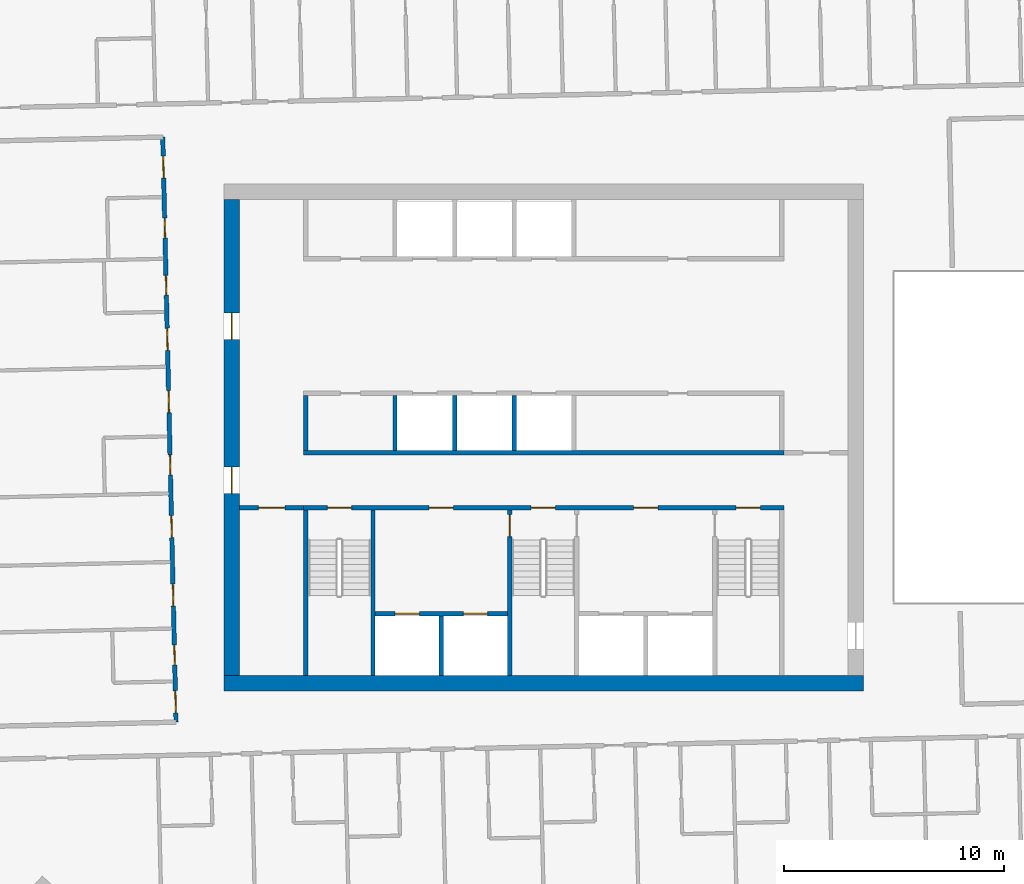
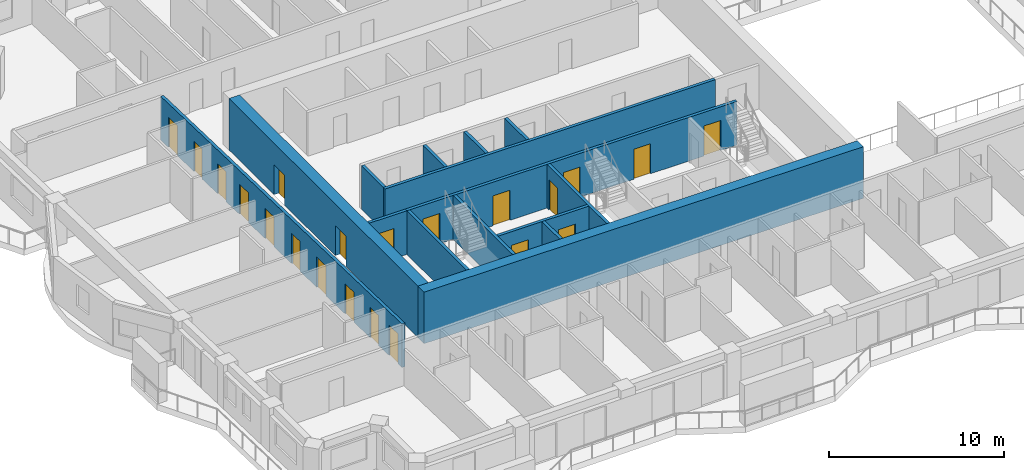
# One storey, part 9 of 19: 21 doors, 15 walls, 21 openings.
"""IFC4 building model written with IfcOpenShell, lengths in metres."""

from ifc_helpers import new_model, si_unit, direction, frame, frame_2d, origin, place, context, subcontext, project, spatial, rectangle, extrude, material, layer, layer_set, type_object, element, fill, save


model = new_model("IFC4")

# Units and contexts
model_context = context("Model", 3, precision=1e-05, world=origin(), true_north=direction((0.0, 1.0)))
body_context = subcontext(model_context, "Body", "Model", "MODEL_VIEW")
ifc_project = project(units=[si_unit("LENGTHUNIT", "METRE"), si_unit("AREAUNIT", "SQUARE_METRE"), si_unit("VOLUMEUNIT", "CUBIC_METRE"), si_unit("PLANEANGLEUNIT", "RADIAN"), si_unit("MASSUNIT", "GRAM", prefix="KILO")], contexts=[model_context])

# Site, building, storey
site_placement = place(None, origin())
site = spatial("IfcSite", under=ifc_project, at=site_placement, CompositionType="ELEMENT")
building_placement = place(site_placement, origin())
building = spatial("IfcBuilding", under=site, at=building_placement, Name="Mangrove Gate Tower", CompositionType="ELEMENT")
storey_placement = place(building_placement, frame((0.0, 0.0, 283.5)))
storey = spatial("IfcBuildingStorey", under=building, at=storey_placement, Name="L72", CompositionType="ELEMENT", Elevation=283.5)

# Wall, opening, door
ifc_material_1 = material(Name="Concrete C32/40", Category="concrete")
ifc_layer_1 = layer(ifc_material_1, 0.199951171875)
ifc_layer_set_1 = layer_set([ifc_layer_1], Name="Core lobby wall 200 C32/40")
wall_type_1 = type_object("IfcWallType", Name="Core lobby wall 200 C32/40", PredefinedType="STANDARD", material=ifc_layer_set_1)
wall_1_placement = place(storey_placement, frame((-13.800048828125, -3.199951171875, 0.0), z_axis=(0.0, 0.0, 1.0), x_axis=(1.0, 0.0, 0.0)))
wall_1 = element("IfcWall", 1, at=wall_1_placement, inside=storey, type_object=wall_type_1, Name="WALL-L72-CORE-31", PredefinedType="STANDARD", context=body_context, shape_type="SweptSolid", body=[
    extrude(rectangle(XDim=2.900146484375, YDim=0.199951171875, at=frame_2d((1.4501953125, 0.0))), origin(), (0.0, 0.0, 1.0), 3.050048828125),
])
opening_1_placement = place(wall_1_placement, frame((0.85009765625, 0.0, 0.0)))
opening_1 = element("IfcOpeningElement", 2, at=opening_1_placement, cuts=wall_1, Name="Opening FL12", PredefinedType="OPENING", context=body_context, shape_type="SweptSolid", body=[
    extrude(rectangle(XDim=1.199951171875, YDim=2.10009765625, at=frame_2d((0.60009765625, 1.050048828125))), frame((0.0, 0.10986328125, 0.0), z_axis=(0.0, -1.0, 0.0), x_axis=(1.0, 0.0, 0.0)), (0.0, 0.0, 1.0), 0.219970703125),
])
ifc_material_2 = material(Name="Fire-rated steel door set", Category="steel")
door_type_1 = type_object("IfcDoorType", Name="Lobby door FD60 1200x2100", OperationType="SINGLE_SWING_LEFT", PredefinedType="DOOR", material=ifc_material_2)
door_1_placement = place(opening_1_placement, origin())
door_1 = element("IfcDoor", 3, at=door_1_placement, inside=storey, type_object=door_type_1, Name="Lobby door core corridor W partition", OperationType="SINGLE_SWING_LEFT", OverallHeight=2.10009765625, OverallWidth=1.199951171875, PredefinedType="DOOR", context=body_context, shape_type="SweptSolid", body=[
    extrude(rectangle(XDim=1.199951171875, YDim=2.10009765625, at=frame_2d((0.60009765625, 1.050048828125))), frame((0.0, 0.02490234375, 0.0), z_axis=(0.0, -1.0, 0.0), x_axis=(1.0, 0.0, 0.0)), (0.0, 0.0, 1.0), 0.050048828125),
])
fill(opening_1, door_1)

# Walls
ifc_material_3 = material(Name="Concrete C32/40", Category="concrete")
ifc_layer_2 = layer(ifc_material_3, 0.199951171875)
ifc_layer_set_2 = layer_set([ifc_layer_2], Name="Core room wall 200 C32/40")
wall_type_2 = type_object("IfcWallType", Name="Core room wall 200 C32/40", PredefinedType="STANDARD", material=ifc_layer_set_2)
wall_2_placement = place(storey_placement, frame((-10.800048828125, -0.60009765625, 0.0), z_axis=(0.0, 0.0, 1.0), x_axis=(0.0, 1.0, 0.0)))
element("IfcWall", 4, at=wall_2_placement, inside=storey, type_object=wall_type_2, Name="WALL-L72-CORE-19", PredefinedType="STANDARD", context=body_context, shape_type="SweptSolid", body=[
    extrude(rectangle(XDim=2.5, YDim=0.199951171875, at=frame_2d((1.25, 0.0))), origin(), (0.0, 0.0, 1.0), 3.050048828125),
])
ifc_material_4 = material(Name="Concrete C50/60", Category="concrete")
ifc_layer_3 = layer(ifc_material_4, 0.199951171875)
ifc_layer_set_3 = layer_set([ifc_layer_3], Name="Core shaft wall 200 C50/60")
wall_type_3 = type_object("IfcWallType", Name="Core shaft wall 200 C50/60", PredefinedType="SHEAR", material=ifc_layer_set_3)
wall_3_placement = place(storey_placement, frame((-10.89990234375, -0.699951171875, 0.0), z_axis=(0.0, 0.0, 1.0), x_axis=(1.0, 0.0, 0.0)))
element("IfcWall", 5, at=wall_3_placement, inside=storey, type_object=wall_type_3, Name="WALL-L72-CORE-6", PredefinedType="SHEAR", context=body_context, shape_type="SweptSolid", body=[
    extrude(rectangle(XDim=21.7998046875, YDim=0.199951171875, at=frame_2d((10.89990234375, 0.0))), origin(), (0.0, 0.0, 1.0), 3.050048828125),
])

# Wall, openings, doors
wall_4_placement = place(storey_placement, frame((-7.64990234375, -8.0, 0.0), z_axis=(0.0, 0.0, 1.0), x_axis=(1.0, 0.0, 0.0)))
wall_4 = element("IfcWall", 6, at=wall_4_placement, inside=storey, type_object=wall_type_3, Name="WALL-L72-CORE-15", PredefinedType="SHEAR", context=body_context, shape_type="SweptSolid", body=[
    extrude(rectangle(XDim=6.0, YDim=0.199951171875, at=frame_2d((3.0, 0.0))), origin(), (0.0, 0.0, 1.0), 3.050048828125),
])
opening_2_placement = place(wall_4_placement, frame((0.89990234375, 0.0, 0.0)))
opening_2 = element("IfcOpeningElement", 7, at=opening_2_placement, cuts=wall_4, Name="Opening LD", PredefinedType="OPENING", context=body_context, shape_type="SweptSolid", body=[
    extrude(rectangle(XDim=1.10009765625, YDim=2.10009765625, at=frame_2d((0.550048828125, 1.050048828125))), frame((0.0, 0.10986328125, 0.0), z_axis=(0.0, -1.0, 0.0), x_axis=(1.0, 0.0, 0.0)), (0.0, 0.0, 1.0), 0.219970703125),
])
opening_3_placement = place(wall_4_placement, frame((4.0, 0.0, 0.0)))
opening_3 = element("IfcOpeningElement", 8, at=opening_3_placement, cuts=wall_4, Name="Opening LD", PredefinedType="OPENING", context=body_context, shape_type="SweptSolid", body=[
    extrude(rectangle(XDim=1.10009765625, YDim=2.10009765625, at=frame_2d((0.550048828125, 1.050048828125))), frame((0.0, 0.10986328125, 0.0), z_axis=(0.0, -1.0, 0.0), x_axis=(1.0, 0.0, 0.0)), (0.0, 0.0, 1.0), 0.219970703125),
])
ifc_material_5 = material(Name="Stainless steel 316", Category="steel")
door_type_2 = type_object("IfcDoorType", Name="Lift landing door 1100x2100", OperationType="SLIDING_TO_LEFT", PredefinedType="DOOR", material=ifc_material_5)
door_2_placement = place(opening_2_placement, origin())
door_2 = element("IfcDoor", 9, at=door_2_placement, inside=storey, type_object=door_type_2, Name="Landing door LD SVL1", OperationType="SLIDING_TO_LEFT", OverallHeight=2.10009765625, OverallWidth=1.10009765625, PredefinedType="DOOR", context=body_context, shape_type="SweptSolid", body=[
    extrude(rectangle(XDim=1.10009765625, YDim=2.10009765625, at=frame_2d((0.550048828125, 1.050048828125))), frame((0.0, 0.02490234375, 0.0), z_axis=(0.0, -1.0, 0.0), x_axis=(1.0, 0.0, 0.0)), (0.0, 0.0, 1.0), 0.050048828125),
])
fill(opening_2, door_2)
door_3_placement = place(opening_3_placement, origin())
door_3 = element("IfcDoor", 10, at=door_3_placement, inside=storey, type_object=door_type_2, Name="Landing door LD SVL2", OperationType="SLIDING_TO_LEFT", OverallHeight=2.10009765625, OverallWidth=1.10009765625, PredefinedType="DOOR", context=body_context, shape_type="SweptSolid", body=[
    extrude(rectangle(XDim=1.10009765625, YDim=2.10009765625, at=frame_2d((0.550048828125, 1.050048828125))), frame((0.0, 0.02490234375, 0.0), z_axis=(0.0, -1.0, 0.0), x_axis=(1.0, 0.0, 0.0)), (0.0, 0.0, 1.0), 0.050048828125),
])
fill(opening_3, door_3)

# Walls
wall_5_placement = place(storey_placement, frame((-4.64990234375, -10.800048828125, 0.0), z_axis=(0.0, 0.0, 1.0), x_axis=(0.0, 1.0, 0.0)))
element("IfcWall", 11, at=wall_5_placement, inside=storey, type_object=wall_type_3, Name="WALL-L72-CORE-16", PredefinedType="SHEAR", context=body_context, shape_type="SweptSolid", body=[
    extrude(rectangle(XDim=2.699951171875, YDim=0.199951171875, at=frame_2d((1.35009765625, 0.0))), origin(), (0.0, 0.0, 1.0), 3.050048828125),
])
for number, where, z_axis, x_axis, name in (
    (12, (-6.75, -0.60009765625, 0.0), (0.0, 0.0, 1.0), (0.0, 1.0, 0.0), "WALL-L72-CORE-20"),
    (13, (-4.050048828125, -0.60009765625, 0.0), (0.0, 0.0, 1.0), (0.0, 1.0, 0.0), "WALL-L72-CORE-21"),
    (14, (-1.35009765625, -0.60009765625, 0.0), (0.0, 0.0, 1.0), (0.0, 1.0, 0.0), "WALL-L72-CORE-22"),
):
    element("IfcWall", number, at=place(storey_placement, frame(where, z_axis=z_axis, x_axis=x_axis)), inside=storey, type_object=wall_type_3, Name=name, PredefinedType="SHEAR", context=body_context, shape_type="SweptSolid", body=[
        extrude(rectangle(XDim=2.5, YDim=0.199951171875, at=frame_2d((1.25, 0.0))), origin(), (0.0, 0.0, 1.0), 3.050048828125),
    ])

# Wall, openings, doors
ifc_material_6 = material(Name="Concrete C50/60", Category="concrete")
ifc_layer_4 = layer(ifc_material_6, 0.199951171875)
ifc_layer_set_4 = layer_set([ifc_layer_4], Name="Core stair wall 200 C50/60")
wall_type_4 = type_object("IfcWallType", Name="Core stair wall 200 C50/60", PredefinedType="SHEAR", material=ifc_layer_set_4)
wall_6_placement = place(storey_placement, frame((-10.89990234375, -3.199951171875, 0.0), z_axis=(0.0, 0.0, 1.0), x_axis=(1.0, 0.0, 0.0)))
wall_6 = element("IfcWall", 15, at=wall_6_placement, inside=storey, type_object=wall_type_4, Name="WALL-L72-CORE-5", PredefinedType="SHEAR", context=body_context, shape_type="SweptSolid", body=[
    extrude(rectangle(XDim=21.7998046875, YDim=0.199951171875, at=frame_2d((10.89990234375, 0.0))), origin(), (0.0, 0.0, 1.0), 3.050048828125),
])
opening_4_placement = place(wall_6_placement, frame((1.074951171875, 0.0, 0.0)))
opening_4 = element("IfcOpeningElement", 16, at=opening_4_placement, cuts=wall_6, Name="Opening STD11", PredefinedType="OPENING", context=body_context, shape_type="SweptSolid", body=[
    extrude(rectangle(XDim=1.10009765625, YDim=2.10009765625, at=frame_2d((0.550048828125, 1.050048828125))), frame((0.0, 0.10986328125, 0.0), z_axis=(0.0, -1.0, 0.0), x_axis=(1.0, 0.0, 0.0)), (0.0, 0.0, 1.0), 0.219970703125),
])
opening_5_placement = place(wall_6_placement, frame((10.324951171875, 0.0, 0.0)))
opening_5 = element("IfcOpeningElement", 17, at=opening_5_placement, cuts=wall_6, Name="Opening STD11", PredefinedType="OPENING", context=body_context, shape_type="SweptSolid", body=[
    extrude(rectangle(XDim=1.10009765625, YDim=2.10009765625, at=frame_2d((0.550048828125, 1.050048828125))), frame((0.0, 0.10986328125, 0.0), z_axis=(0.0, -1.0, 0.0), x_axis=(1.0, 0.0, 0.0)), (0.0, 0.0, 1.0), 0.219970703125),
])
opening_6_placement = place(wall_6_placement, frame((19.625, 0.0, 0.0)))
opening_6 = element("IfcOpeningElement", 18, at=opening_6_placement, cuts=wall_6, Name="Opening STD11", PredefinedType="OPENING", context=body_context, shape_type="SweptSolid", body=[
    extrude(rectangle(XDim=1.10009765625, YDim=2.10009765625, at=frame_2d((0.550048828125, 1.050048828125))), frame((0.0, 0.10986328125, 0.0), z_axis=(0.0, -1.0, 0.0), x_axis=(1.0, 0.0, 0.0)), (0.0, 0.0, 1.0), 0.219970703125),
])
opening_7_placement = place(wall_6_placement, frame((5.699951171875, 0.0, 0.0)))
opening_7 = element("IfcOpeningElement", 19, at=opening_7_placement, cuts=wall_6, Name="Opening FL", PredefinedType="OPENING", context=body_context, shape_type="SweptSolid", body=[
    extrude(rectangle(XDim=1.10009765625, YDim=2.10009765625, at=frame_2d((0.550048828125, 1.050048828125))), frame((0.0, 0.10986328125, 0.0), z_axis=(0.0, -1.0, 0.0), x_axis=(1.0, 0.0, 0.0)), (0.0, 0.0, 1.0), 0.219970703125),
])
opening_8_placement = place(wall_6_placement, frame((14.97509765625, 0.0, 0.0)))
opening_8 = element("IfcOpeningElement", 20, at=opening_8_placement, cuts=wall_6, Name="Opening FL", PredefinedType="OPENING", context=body_context, shape_type="SweptSolid", body=[
    extrude(rectangle(XDim=1.10009765625, YDim=2.10009765625, at=frame_2d((0.550048828125, 1.050048828125))), frame((0.0, 0.10986328125, 0.0), z_axis=(0.0, -1.0, 0.0), x_axis=(1.0, 0.0, 0.0)), (0.0, 0.0, 1.0), 0.219970703125),
])
ifc_material_7 = material(Name="Fire-rated steel door set", Category="steel")
door_type_3 = type_object("IfcDoorType", Name="Lobby door FD60 1100x2100", OperationType="SINGLE_SWING_LEFT", PredefinedType="DOOR", material=ifc_material_7)
door_4_placement = place(opening_7_placement, origin())
door_4 = element("IfcDoor", 21, at=door_4_placement, inside=storey, type_object=door_type_3, Name="Lobby door service lobby", OperationType="SINGLE_SWING_LEFT", OverallHeight=2.10009765625, OverallWidth=1.10009765625, PredefinedType="DOOR", context=body_context, shape_type="SweptSolid", body=[
    extrude(rectangle(XDim=1.10009765625, YDim=2.10009765625, at=frame_2d((0.550048828125, 1.050048828125))), frame((0.0, 0.02490234375, 0.0), z_axis=(0.0, -1.0, 0.0), x_axis=(1.0, 0.0, 0.0)), (0.0, 0.0, 1.0), 0.050048828125),
])
fill(opening_7, door_4)
door_5_placement = place(opening_8_placement, origin())
door_5 = element("IfcDoor", 22, at=door_5_placement, inside=storey, type_object=door_type_3, Name="Lobby door fire-fighting lobby", OperationType="SINGLE_SWING_LEFT", OverallHeight=2.10009765625, OverallWidth=1.10009765625, PredefinedType="DOOR", context=body_context, shape_type="SweptSolid", body=[
    extrude(rectangle(XDim=1.10009765625, YDim=2.10009765625, at=frame_2d((0.550048828125, 1.050048828125))), frame((0.0, 0.02490234375, 0.0), z_axis=(0.0, -1.0, 0.0), x_axis=(1.0, 0.0, 0.0)), (0.0, 0.0, 1.0), 0.050048828125),
])
fill(opening_8, door_5)
ifc_material_8 = material(Name="Fire-rated steel door set", Category="steel")
door_type_4 = type_object("IfcDoorType", Name="Stair door FD60 1100x2100", OperationType="SINGLE_SWING_RIGHT", PredefinedType="DOOR", material=ifc_material_8)
door_6_placement = place(opening_4_placement, origin())
door_6 = element("IfcDoor", 23, at=door_6_placement, inside=storey, type_object=door_type_4, Name="Stair door Stair 1", OperationType="SINGLE_SWING_RIGHT", OverallHeight=2.10009765625, OverallWidth=1.10009765625, PredefinedType="DOOR", context=body_context, shape_type="SweptSolid", body=[
    extrude(rectangle(XDim=1.10009765625, YDim=2.10009765625, at=frame_2d((0.550048828125, 1.050048828125))), frame((0.0, 0.02490234375, 0.0), z_axis=(0.0, -1.0, 0.0), x_axis=(1.0, 0.0, 0.0)), (0.0, 0.0, 1.0), 0.050048828125),
])
fill(opening_4, door_6)
door_7_placement = place(opening_5_placement, origin())
door_7 = element("IfcDoor", 24, at=door_7_placement, inside=storey, type_object=door_type_4, Name="Stair door Stair 2", OperationType="SINGLE_SWING_RIGHT", OverallHeight=2.10009765625, OverallWidth=1.10009765625, PredefinedType="DOOR", context=body_context, shape_type="SweptSolid", body=[
    extrude(rectangle(XDim=1.10009765625, YDim=2.10009765625, at=frame_2d((0.550048828125, 1.050048828125))), frame((0.0, 0.02490234375, 0.0), z_axis=(0.0, -1.0, 0.0), x_axis=(1.0, 0.0, 0.0)), (0.0, 0.0, 1.0), 0.050048828125),
])
fill(opening_5, door_7)
door_8_placement = place(opening_6_placement, origin())
door_8 = element("IfcDoor", 25, at=door_8_placement, inside=storey, type_object=door_type_4, Name="Stair door Stair 3", OperationType="SINGLE_SWING_RIGHT", OverallHeight=2.10009765625, OverallWidth=1.10009765625, PredefinedType="DOOR", context=body_context, shape_type="SweptSolid", body=[
    extrude(rectangle(XDim=1.10009765625, YDim=2.10009765625, at=frame_2d((0.550048828125, 1.050048828125))), frame((0.0, 0.02490234375, 0.0), z_axis=(0.0, -1.0, 0.0), x_axis=(1.0, 0.0, 0.0)), (0.0, 0.0, 1.0), 0.050048828125),
])
fill(opening_6, door_8)

# Walls
for number, where, z_axis, x_axis, name in (
    (26, (-10.800048828125, -10.800048828125, 0.0), (0.0, 0.0, 1.0), (0.0, 1.0, 0.0), "WALL-L72-CORE-9"),
    (27, (-7.75, -10.800048828125, 0.0), (0.0, 0.0, 1.0), (0.0, 1.0, 0.0), "WALL-L72-CORE-10"),
):
    element("IfcWall", number, at=place(storey_placement, frame(where, z_axis=z_axis, x_axis=x_axis)), inside=storey, type_object=wall_type_4, Name=name, PredefinedType="SHEAR", context=body_context, shape_type="SweptSolid", body=[
        extrude(rectangle(XDim=7.5, YDim=0.199951171875, at=frame_2d((3.75, 0.0))), origin(), (0.0, 0.0, 1.0), 3.050048828125),
    ])

# Wall, opening, door
wall_7_placement = place(storey_placement, frame((-1.550048828125, -10.800048828125, 0.0), z_axis=(0.0, 0.0, 1.0), x_axis=(0.0, 1.0, 0.0)))
wall_7 = element("IfcWall", 28, at=wall_7_placement, inside=storey, type_object=wall_type_4, Name="WALL-L72-CORE-11", PredefinedType="SHEAR", context=body_context, shape_type="SweptSolid", body=[
    extrude(rectangle(XDim=7.5, YDim=0.199951171875, at=frame_2d((3.75, 0.0))), origin(), (0.0, 0.0, 1.0), 3.050048828125),
])
opening_9_placement = place(wall_7_placement, frame((6.300048828125, 0.0, 0.0)))
opening_9 = element("IfcOpeningElement", 29, at=opening_9_placement, cuts=wall_7, Name="Opening STD10", PredefinedType="OPENING", context=body_context, shape_type="SweptSolid", body=[
    extrude(rectangle(XDim=1.0, YDim=2.10009765625, at=frame_2d((0.5, 1.050048828125))), frame((0.0, 0.10986328125, 0.0), z_axis=(0.0, -1.0, 0.0), x_axis=(1.0, 0.0, 0.0)), (0.0, 0.0, 1.0), 0.219970703125),
])
ifc_material_9 = material(Name="Fire-rated steel door set", Category="steel")
door_type_5 = type_object("IfcDoorType", Name="Stair door FD60 1000x2100", OperationType="SINGLE_SWING_RIGHT", PredefinedType="DOOR", material=ifc_material_9)
door_9_placement = place(opening_9_placement, origin())
door_9 = element("IfcDoor", 30, at=door_9_placement, inside=storey, type_object=door_type_5, Name="Stair door Stair 2 from service lobby", OperationType="SINGLE_SWING_RIGHT", OverallHeight=2.10009765625, OverallWidth=1.0, PredefinedType="DOOR", context=body_context, shape_type="SweptSolid", body=[
    extrude(rectangle(XDim=1.0, YDim=2.10009765625, at=frame_2d((0.5, 1.050048828125))), frame((0.0, 0.02490234375, 0.0), z_axis=(0.0, -1.0, 0.0), x_axis=(1.0, 0.0, 0.0)), (0.0, 0.0, 1.0), 0.050048828125),
])
fill(opening_9, door_9)

# Wall
ifc_material_10 = material(Name="Concrete C50/60", Category="concrete")
ifc_layer_5 = layer(ifc_material_10, 0.699951171875)
ifc_layer_set_5 = layer_set([ifc_layer_5], Name="Core wall 700 C50/60")
wall_type_5 = type_object("IfcWallType", Name="Core wall 700 C50/60", PredefinedType="SHEAR", material=ifc_layer_set_5)
wall_8_placement = place(storey_placement, frame((-14.5, -11.14990234375, 0.0), z_axis=(0.0, 0.0, 1.0), x_axis=(1.0, 0.0, 0.0)))
element("IfcWall", 31, at=wall_8_placement, inside=storey, type_object=wall_type_5, Name="WALL-L72-CORE-1", PredefinedType="SHEAR", context=body_context, shape_type="SweptSolid", body=[
    extrude(rectangle(XDim=29.0, YDim=0.699951171875, at=frame_2d((14.5, 0.0))), origin(), (0.0, 0.0, 1.0), 3.60009765625),
])

# Wall, openings, doors
wall_9_placement = place(storey_placement, frame((-14.14990234375, -10.800048828125, 0.0), z_axis=(0.0, 0.0, 1.0), x_axis=(0.0, 1.0, 0.0)))
wall_9 = element("IfcWall", 32, at=wall_9_placement, inside=storey, type_object=wall_type_5, Name="WALL-L72-CORE-3", PredefinedType="SHEAR", context=body_context, shape_type="SweptSolid", body=[
    extrude(rectangle(XDim=21.60009765625, YDim=0.699951171875, at=frame_2d((10.800048828125, 0.0))), origin(), (0.0, 0.0, 1.0), 3.60009765625),
])
opening_10_placement = place(wall_9_placement, frame((8.25, 0.0, 0.0)))
opening_10 = element("IfcOpeningElement", 33, at=opening_10_placement, cuts=wall_9, Name="Opening CD", PredefinedType="OPENING", context=body_context, shape_type="SweptSolid", body=[
    extrude(rectangle(XDim=1.199951171875, YDim=2.10009765625, at=frame_2d((0.60009765625, 1.050048828125))), frame((0.0, 0.35986328125, 0.0), z_axis=(0.0, -1.0, 0.0), x_axis=(1.0, 0.0, 0.0)), (0.0, 0.0, 1.0), 0.719970703125),
])
opening_11_placement = place(wall_9_placement, frame((15.25, 0.0, 0.0)))
opening_11 = element("IfcOpeningElement", 34, at=opening_11_placement, cuts=wall_9, Name="Opening CD", PredefinedType="OPENING", context=body_context, shape_type="SweptSolid", body=[
    extrude(rectangle(XDim=1.199951171875, YDim=2.10009765625, at=frame_2d((0.60009765625, 1.050048828125))), frame((0.0, 0.35986328125, 0.0), z_axis=(0.0, -1.0, 0.0), x_axis=(1.0, 0.0, 0.0)), (0.0, 0.0, 1.0), 0.719970703125),
])
ifc_material_11 = material(Name="Fire-rated steel door set", Category="steel")
door_type_6 = type_object("IfcDoorType", Name="Core ring door FD60 1200x2100", OperationType="DOUBLE_DOOR_SINGLE_SWING", PredefinedType="DOOR", material=ifc_material_11)
door_10_placement = place(opening_10_placement, origin())
door_10 = element("IfcDoor", 35, at=door_10_placement, inside=storey, type_object=door_type_6, Name="Core ring door W1", OperationType="DOUBLE_DOOR_SINGLE_SWING", OverallHeight=2.10009765625, OverallWidth=1.199951171875, PredefinedType="DOOR", context=body_context, shape_type="SweptSolid", body=[
    extrude(rectangle(XDim=1.199951171875, YDim=2.10009765625, at=frame_2d((0.60009765625, 1.050048828125))), frame((0.0, 0.02490234375, 0.0), z_axis=(0.0, -1.0, 0.0), x_axis=(1.0, 0.0, 0.0)), (0.0, 0.0, 1.0), 0.050048828125),
])
fill(opening_10, door_10)
door_11_placement = place(opening_11_placement, origin())
door_11 = element("IfcDoor", 36, at=door_11_placement, inside=storey, type_object=door_type_6, Name="Core ring door W2", OperationType="DOUBLE_DOOR_SINGLE_SWING", OverallHeight=2.10009765625, OverallWidth=1.199951171875, PredefinedType="DOOR", context=body_context, shape_type="SweptSolid", body=[
    extrude(rectangle(XDim=1.199951171875, YDim=2.10009765625, at=frame_2d((0.60009765625, 1.050048828125))), frame((0.0, 0.02490234375, 0.0), z_axis=(0.0, -1.0, 0.0), x_axis=(1.0, 0.0, 0.0)), (0.0, 0.0, 1.0), 0.050048828125),
])
fill(opening_11, door_11)

ifc_material_12 = material(Name="Gypsum board on steel stud, EI 60", Category="steel")
ifc_layer_6 = layer(ifc_material_12, 0.199951171875)
ifc_layer_set_6 = layer_set([ifc_layer_6], Name="Corridor wall EI 60")
wall_type_6 = type_object("IfcWallType", Name="Corridor wall EI 60", PredefinedType="PARTITIONING", material=ifc_layer_set_6)
wall_10_placement = place(storey_placement, frame((-16.68408203125, -12.9189453125, 0.0), z_axis=(0.0, 0.0, 1.0), x_axis=(-0.022712214871, 0.999742044377, 0.0)))
wall_10 = element("IfcWall", 37, at=wall_10_placement, inside=storey, type_object=wall_type_6, Name="WALL-L72-033", PredefinedType="PARTITIONING", context=body_context, shape_type="SweptSolid", body=[
    extrude(rectangle(XDim=26.55078125, YDim=0.199951171875, at=frame_2d((13.275390625, 0.0))), origin(), (0.0, 0.0, 1.0), 3.050048828125),
])
opening_12_placement = place(wall_10_placement, frame((24.68798828125, 0.0, 0.0)))
opening_12 = element("IfcOpeningElement", 38, at=opening_12_placement, cuts=wall_10, Name="Opening AD", PredefinedType="OPENING", context=body_context, shape_type="SweptSolid", body=[
    extrude(rectangle(XDim=1.0, YDim=2.10009765625, at=frame_2d((0.5, 1.050048828125))), frame((0.0, 0.10986328125, 0.0), z_axis=(0.0, -1.0, 0.0), x_axis=(1.0, 0.0, 0.0)), (0.0, 0.0, 1.0), 0.219970703125),
])
opening_13_placement = place(wall_10_placement, frame((21.97509765625, 0.0, 0.0)))
opening_13 = element("IfcOpeningElement", 39, at=opening_13_placement, cuts=wall_10, Name="Opening SD", PredefinedType="OPENING", context=body_context, shape_type="SweptSolid", body=[
    extrude(rectangle(XDim=0.89990234375, YDim=2.10009765625, at=frame_2d((0.449951171875, 1.050048828125))), frame((0.0, 0.10986328125, 0.0), z_axis=(0.0, -1.0, 0.0), x_axis=(1.0, 0.0, 0.0)), (0.0, 0.0, 1.0), 0.219970703125),
])
opening_14_placement = place(wall_10_placement, frame((16.875, 0.0, 0.0)))
opening_14 = element("IfcOpeningElement", 40, at=opening_14_placement, cuts=wall_10, Name="Opening AD", PredefinedType="OPENING", context=body_context, shape_type="SweptSolid", body=[
    extrude(rectangle(XDim=1.0, YDim=2.10009765625, at=frame_2d((0.5, 1.050048828125))), frame((0.0, 0.10986328125, 0.0), z_axis=(0.0, -1.0, 0.0), x_axis=(1.0, 0.0, 0.0)), (0.0, 0.0, 1.0), 0.219970703125),
])
opening_15_placement = place(wall_10_placement, frame((19.375, 0.0, 0.0)))
opening_15 = element("IfcOpeningElement", 41, at=opening_15_placement, cuts=wall_10, Name="Opening SD", PredefinedType="OPENING", context=body_context, shape_type="SweptSolid", body=[
    extrude(rectangle(XDim=0.89990234375, YDim=2.10009765625, at=frame_2d((0.449951171875, 1.050048828125))), frame((0.0, 0.10986328125, 0.0), z_axis=(0.0, -1.0, 0.0), x_axis=(1.0, 0.0, 0.0)), (0.0, 0.0, 1.0), 0.219970703125),
])
opening_16_placement = place(wall_10_placement, frame((14.050048828125, 0.0, 0.0)))
opening_16 = element("IfcOpeningElement", 42, at=opening_16_placement, cuts=wall_10, Name="Opening AD", PredefinedType="OPENING", context=body_context, shape_type="SweptSolid", body=[
    extrude(rectangle(XDim=1.0, YDim=2.10009765625, at=frame_2d((0.5, 1.050048828125))), frame((0.0, 0.10986328125, 0.0), z_axis=(0.0, -1.0, 0.0), x_axis=(1.0, 0.0, 0.0)), (0.0, 0.0, 1.0), 0.219970703125),
])
opening_17_placement = place(wall_10_placement, frame((11.22509765625, 0.0, 0.0)))
opening_17 = element("IfcOpeningElement", 43, at=opening_17_placement, cuts=wall_10, Name="Opening SD", PredefinedType="OPENING", context=body_context, shape_type="SweptSolid", body=[
    extrude(rectangle(XDim=0.89990234375, YDim=2.10009765625, at=frame_2d((0.449951171875, 1.050048828125))), frame((0.0, 0.10986328125, 0.0), z_axis=(0.0, -1.0, 0.0), x_axis=(1.0, 0.0, 0.0)), (0.0, 0.0, 1.0), 0.219970703125),
])
opening_18_placement = place(wall_10_placement, frame((8.3701171875, 0.0, 0.0)))
opening_18 = element("IfcOpeningElement", 44, at=opening_18_placement, cuts=wall_10, Name="Opening AD", PredefinedType="OPENING", context=body_context, shape_type="SweptSolid", body=[
    extrude(rectangle(XDim=1.0, YDim=2.10009765625, at=frame_2d((0.5, 1.050048828125))), frame((0.0, 0.10986328125, 0.0), z_axis=(0.0, -1.0, 0.0), x_axis=(1.0, 0.0, 0.0)), (0.0, 0.0, 1.0), 0.219970703125),
])
opening_19_placement = place(wall_10_placement, frame((5.262939453125, 0.0, 0.0)))
opening_19 = element("IfcOpeningElement", 45, at=opening_19_placement, cuts=wall_10, Name="Opening AD", PredefinedType="OPENING", context=body_context, shape_type="SweptSolid", body=[
    extrude(rectangle(XDim=1.0, YDim=2.10009765625, at=frame_2d((0.5, 1.050048828125))), frame((0.0, 0.10986328125, 0.0), z_axis=(0.0, -1.0, 0.0), x_axis=(1.0, 0.0, 0.0)), (0.0, 0.0, 1.0), 0.219970703125),
])
opening_20_placement = place(wall_10_placement, frame((0.425048828125, 0.0, 0.0)))
opening_20 = element("IfcOpeningElement", 46, at=opening_20_placement, cuts=wall_10, Name="Opening AD", PredefinedType="OPENING", context=body_context, shape_type="SweptSolid", body=[
    extrude(rectangle(XDim=1.0, YDim=2.10009765625, at=frame_2d((0.5, 1.050048828125))), frame((0.0, 0.10986328125, 0.0), z_axis=(0.0, -1.0, 0.0), x_axis=(1.0, 0.0, 0.0)), (0.0, 0.0, 1.0), 0.219970703125),
])
opening_21_placement = place(wall_10_placement, frame((2.60009765625, 0.0, 0.0)))
opening_21 = element("IfcOpeningElement", 47, at=opening_21_placement, cuts=wall_10, Name="Opening SD", PredefinedType="OPENING", context=body_context, shape_type="SweptSolid", body=[
    extrude(rectangle(XDim=0.89990234375, YDim=2.10009765625, at=frame_2d((0.449951171875, 1.050048828125))), frame((0.0, 0.10986328125, 0.0), z_axis=(0.0, -1.0, 0.0), x_axis=(1.0, 0.0, 0.0)), (0.0, 0.0, 1.0), 0.219970703125),
])
ifc_material_13 = material(Name="Timber door leaf", Category="wood")
door_type_7 = type_object("IfcDoorType", Name="Amenity door 1000", OperationType="SINGLE_SWING_LEFT", PredefinedType="DOOR", material=ifc_material_13)
door_12_placement = place(opening_12_placement, origin())
door_12 = element("IfcDoor", 48, at=door_12_placement, inside=storey, type_object=door_type_7, Name="DOOR-L72-GAM-c5a", OperationType="SINGLE_SWING_LEFT", OverallHeight=2.10009765625, OverallWidth=1.0, PredefinedType="DOOR", context=body_context, shape_type="SweptSolid", body=[
    extrude(rectangle(XDim=1.0, YDim=2.10009765625, at=frame_2d((0.5, 1.050048828125))), frame((0.0, 0.02490234375, 0.0), z_axis=(0.0, -1.0, 0.0), x_axis=(1.0, 0.0, 0.0)), (0.0, 0.0, 1.0), 0.050048828125),
])
fill(opening_12, door_12)
door_13_placement = place(opening_14_placement, origin())
door_13 = element("IfcDoor", 49, at=door_13_placement, inside=storey, type_object=door_type_7, Name="DOOR-L72-LNG-c5b", OperationType="SINGLE_SWING_RIGHT", OverallHeight=2.10009765625, OverallWidth=1.0, PredefinedType="DOOR", context=body_context, shape_type="SweptSolid", body=[
    extrude(rectangle(XDim=1.0, YDim=2.10009765625, at=frame_2d((0.5, 1.050048828125))), frame((0.0, 0.02490234375, 0.0), z_axis=(0.0, -1.0, 0.0), x_axis=(1.0, 0.0, 0.0)), (0.0, 0.0, 1.0), 0.050048828125),
])
fill(opening_14, door_13)
door_14_placement = place(opening_16_placement, origin())
door_14 = element("IfcDoor", 50, at=door_14_placement, inside=storey, type_object=door_type_7, Name="DOOR-L72-LNG-c5c", OperationType="SINGLE_SWING_LEFT", OverallHeight=2.10009765625, OverallWidth=1.0, PredefinedType="DOOR", context=body_context, shape_type="SweptSolid", body=[
    extrude(rectangle(XDim=1.0, YDim=2.10009765625, at=frame_2d((0.5, 1.050048828125))), frame((0.0, 0.02490234375, 0.0), z_axis=(0.0, -1.0, 0.0), x_axis=(1.0, 0.0, 0.0)), (0.0, 0.0, 1.0), 0.050048828125),
])
fill(opening_16, door_14)
door_15_placement = place(opening_18_placement, origin())
door_15 = element("IfcDoor", 51, at=door_15_placement, inside=storey, type_object=door_type_7, Name="DOOR-L72-STU-c5a", OperationType="SINGLE_SWING_RIGHT", OverallHeight=2.10009765625, OverallWidth=1.0, PredefinedType="DOOR", context=body_context, shape_type="SweptSolid", body=[
    extrude(rectangle(XDim=1.0, YDim=2.10009765625, at=frame_2d((0.5, 1.050048828125))), frame((0.0, 0.02490234375, 0.0), z_axis=(0.0, -1.0, 0.0), x_axis=(1.0, 0.0, 0.0)), (0.0, 0.0, 1.0), 0.050048828125),
])
fill(opening_18, door_15)
door_16_placement = place(opening_19_placement, origin())
door_16 = element("IfcDoor", 52, at=door_16_placement, inside=storey, type_object=door_type_7, Name="DOOR-L72-STU-c5b", OperationType="SINGLE_SWING_LEFT", OverallHeight=2.10009765625, OverallWidth=1.0, PredefinedType="DOOR", context=body_context, shape_type="SweptSolid", body=[
    extrude(rectangle(XDim=1.0, YDim=2.10009765625, at=frame_2d((0.5, 1.050048828125))), frame((0.0, 0.02490234375, 0.0), z_axis=(0.0, -1.0, 0.0), x_axis=(1.0, 0.0, 0.0)), (0.0, 0.0, 1.0), 0.050048828125),
])
fill(opening_19, door_16)
door_17_placement = place(opening_20_placement, origin())
door_17 = element("IfcDoor", 53, at=door_17_placement, inside=storey, type_object=door_type_7, Name="DOOR-L72-KIT-c5a", OperationType="SINGLE_SWING_RIGHT", OverallHeight=2.10009765625, OverallWidth=1.0, PredefinedType="DOOR", context=body_context, shape_type="SweptSolid", body=[
    extrude(rectangle(XDim=1.0, YDim=2.10009765625, at=frame_2d((0.5, 1.050048828125))), frame((0.0, 0.02490234375, 0.0), z_axis=(0.0, -1.0, 0.0), x_axis=(1.0, 0.0, 0.0)), (0.0, 0.0, 1.0), 0.050048828125),
])
fill(opening_20, door_17)
ifc_material_14 = material(Name="Timber door leaf", Category="wood")
door_type_8 = type_object("IfcDoorType", Name="Service room door 900", OperationType="SINGLE_SWING_LEFT", PredefinedType="DOOR", material=ifc_material_14)
door_18_placement = place(opening_13_placement, origin())
door_18 = element("IfcDoor", 54, at=door_18_placement, inside=storey, type_object=door_type_8, Name="DOOR-L72-LDY-c5a", OperationType="SINGLE_SWING_RIGHT", OverallHeight=2.10009765625, OverallWidth=0.89990234375, PredefinedType="DOOR", context=body_context, shape_type="SweptSolid", body=[
    extrude(rectangle(XDim=0.89990234375, YDim=2.10009765625, at=frame_2d((0.449951171875, 1.050048828125))), frame((0.0, 0.02490234375, 0.0), z_axis=(0.0, -1.0, 0.0), x_axis=(1.0, 0.0, 0.0)), (0.0, 0.0, 1.0), 0.050048828125),
])
fill(opening_13, door_18)
door_19_placement = place(opening_15_placement, origin())
door_19 = element("IfcDoor", 55, at=door_19_placement, inside=storey, type_object=door_type_8, Name="DOOR-L72-WC-c5a", OperationType="SINGLE_SWING_LEFT", OverallHeight=2.10009765625, OverallWidth=0.89990234375, PredefinedType="DOOR", context=body_context, shape_type="SweptSolid", body=[
    extrude(rectangle(XDim=0.89990234375, YDim=2.10009765625, at=frame_2d((0.449951171875, 1.050048828125))), frame((0.0, 0.02490234375, 0.0), z_axis=(0.0, -1.0, 0.0), x_axis=(1.0, 0.0, 0.0)), (0.0, 0.0, 1.0), 0.050048828125),
])
fill(opening_15, door_19)
door_20_placement = place(opening_17_placement, origin())
door_20 = element("IfcDoor", 56, at=door_20_placement, inside=storey, type_object=door_type_8, Name="DOOR-L72-AWC-c5b", OperationType="SINGLE_SWING_RIGHT", OverallHeight=2.10009765625, OverallWidth=0.89990234375, PredefinedType="DOOR", context=body_context, shape_type="SweptSolid", body=[
    extrude(rectangle(XDim=0.89990234375, YDim=2.10009765625, at=frame_2d((0.449951171875, 1.050048828125))), frame((0.0, 0.02490234375, 0.0), z_axis=(0.0, -1.0, 0.0), x_axis=(1.0, 0.0, 0.0)), (0.0, 0.0, 1.0), 0.050048828125),
])
fill(opening_17, door_20)
door_21_placement = place(opening_21_placement, origin())
door_21 = element("IfcDoor", 57, at=door_21_placement, inside=storey, type_object=door_type_8, Name="DOOR-L72-WC-c5b", OperationType="SINGLE_SWING_LEFT", OverallHeight=2.10009765625, OverallWidth=0.89990234375, PredefinedType="DOOR", context=body_context, shape_type="SweptSolid", body=[
    extrude(rectangle(XDim=0.89990234375, YDim=2.10009765625, at=frame_2d((0.449951171875, 1.050048828125))), frame((0.0, 0.02490234375, 0.0), z_axis=(0.0, -1.0, 0.0), x_axis=(1.0, 0.0, 0.0)), (0.0, 0.0, 1.0), 0.050048828125),
])
fill(opening_21, door_21)

save(model, "model.ifc")
